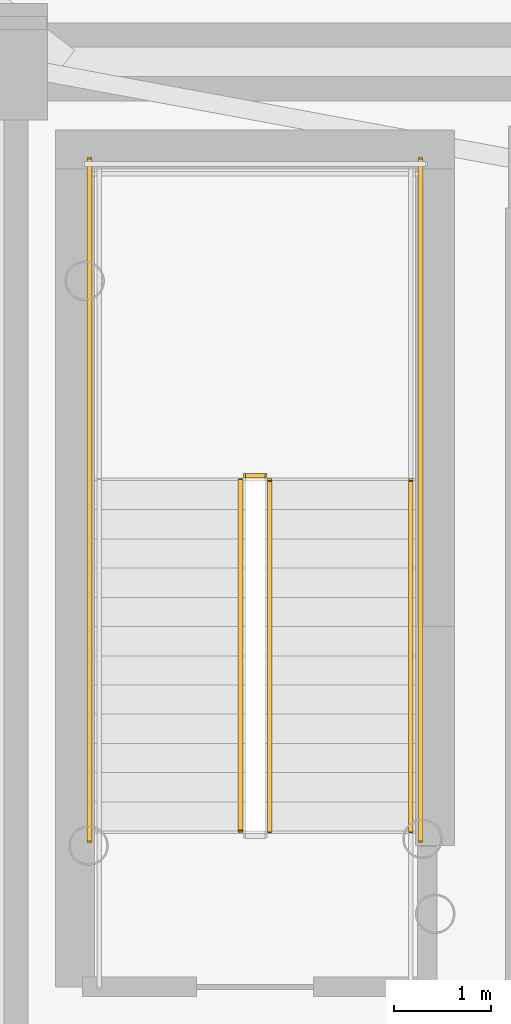
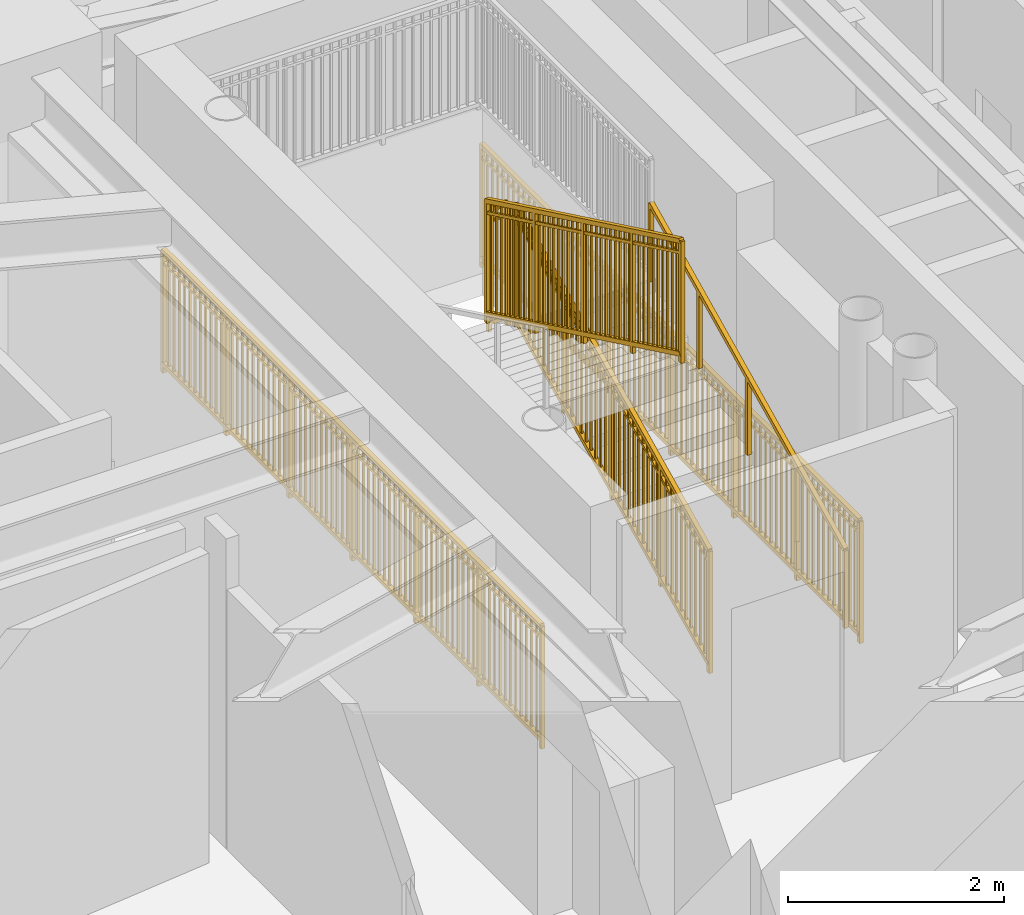
# One storey, part 13 of 17: 6 railings.
"""IFC4 building model written with IfcOpenShell, lengths in metres."""

from ifc_helpers import new_model, si_unit, direction, frame, origin, origin_2d, place, context, subcontext, project, spatial, rectangle, extrude, source, transform, mapped, material, type_object, element, save


model = new_model("IFC4")

# Units and contexts
model_context = context("Model", 3, precision=1e-05, world=origin(), true_north=direction((0.0, 1.0)))
body_context = subcontext(model_context, "Body", "Model", "MODEL_VIEW")
ifc_project = project(units=[si_unit("LENGTHUNIT", "METRE"), si_unit("AREAUNIT", "SQUARE_METRE"), si_unit("VOLUMEUNIT", "CUBIC_METRE"), si_unit("PLANEANGLEUNIT", "RADIAN"), si_unit("MASSUNIT", "GRAM", prefix="KILO")], contexts=[model_context])

# Site, building, storey
site_placement = place(None, origin())
site = spatial("IfcSite", under=ifc_project, at=site_placement, CompositionType="ELEMENT")
building_placement = place(site_placement, origin())
building = spatial("IfcBuilding", under=site, at=building_placement, Name="Linh Dai School and Residence Tower", CompositionType="ELEMENT")
storey_placement = place(building_placement, frame((0.0, 0.0, 182.39990234375)))
storey = spatial("IfcBuildingStorey", under=building, at=storey_placement, Name="L44", CompositionType="ELEMENT", Elevation=182.39990234375)

# Railings
ifc_material_1 = material(Name="Structural Steel S355JR", Category="steel")
railing_type_1 = type_object("IfcRailingType", Name="RL-ST-GUARD-1400", PredefinedType="GUARDRAIL", material=ifc_material_1)
shared_shape_1 = source(origin(), body_context, "Body", "SweptSolid", [
    extrude(rectangle(XDim=0.048095703125, YDim=0.048095703125, at=origin_2d()), frame((0.0, 0.0, 1.3759765625), z_axis=(-1.0, 0.0, 0.0), x_axis=(0.0, -1.0, 0.0)), (0.0, 0.0, 1.0), 0.199951171875),
    extrude(rectangle(XDim=0.048095703125, YDim=0.048095703125, at=origin_2d()), frame((0.0, 0.0, 0.10009765625), z_axis=(-1.0, 0.0, 0.0), x_axis=(0.0, -1.0, 0.0)), (0.0, 0.0, 1.0), 0.199951171875),
    extrude(rectangle(XDim=0.030029296875, YDim=0.030029296875, at=origin_2d()), frame((0.0, 0.0, 1.239990234375), z_axis=(-1.0, 0.0, 0.0), x_axis=(0.0, -1.0, 0.0)), (0.0, 0.0, 1.0), 0.199951171875),
    extrude(rectangle(XDim=0.0419921875, YDim=0.0419921875, at=origin_2d()), origin(), (0.0, 0.0, 1.0), 1.3759765625),
    extrude(rectangle(XDim=0.0419921875, YDim=0.0419921875, at=origin_2d()), frame((-0.199951171875, 0.0, 0.0)), (0.0, 0.0, 1.0), 1.3759765625),
])
railing_1_placement = place(storey_placement, frame((29.429931640625, 29.35009765625, 1.875)))
element("IfcRailing", 1, at=railing_1_placement, inside=storey, type_object=railing_type_1, Name="L44 ST1 stair guard 2", PredefinedType="GUARDRAIL", context=body_context, shape_type="MappedRepresentation", body=[
    mapped(shared_shape_1, transform((0.0, 0.0, 0.0), x_axis=(1.0, 0.0, 0.0), y_axis=(0.0, 1.0, 0.0), z_axis=(0.0, 0.0, 1.0), scale=1.0)),
])
shared_shape_2 = source(origin(), body_context, "Body", "SweptSolid", [
    extrude(rectangle(XDim=0.048095703125, YDim=0.048095703125, at=origin_2d()), frame((0.0, 0.0, 1.3759765625), z_axis=(0.0, 1.0, 0.0), x_axis=(-1.0, 0.0, 0.0)), (0.0, 0.0, 1.0), 7.0),
    extrude(rectangle(XDim=0.048095703125, YDim=0.048095703125, at=origin_2d()), frame((0.0, 0.0, 0.10009765625), z_axis=(0.0, 1.0, 0.0), x_axis=(-1.0, 0.0, 0.0)), (0.0, 0.0, 1.0), 7.0),
    extrude(rectangle(XDim=0.030029296875, YDim=0.030029296875, at=origin_2d()), frame((0.0, 0.0, 1.239990234375), z_axis=(0.0, 1.0, 0.0), x_axis=(-1.0, 0.0, 0.0)), (0.0, 0.0, 1.0), 7.0),
    extrude(rectangle(XDim=0.02001953125, YDim=0.02001953125, at=origin_2d()), frame((0.0, 0.09716796875, 0.10009765625)), (0.0, 0.0, 1.0), 1.251708984375),
    extrude(rectangle(XDim=0.02001953125, YDim=0.02001953125, at=origin_2d()), frame((0.0, 0.1943359375, 0.10009765625)), (0.0, 0.0, 1.0), 1.251708984375),
    extrude(rectangle(XDim=0.02001953125, YDim=0.02001953125, at=origin_2d()), frame((0.0, 0.291748046875, 0.10009765625)), (0.0, 0.0, 1.0), 1.251708984375),
    extrude(rectangle(XDim=0.02001953125, YDim=0.02001953125, at=origin_2d()), frame((0.0, 0.388916015625, 0.10009765625)), (0.0, 0.0, 1.0), 1.251708984375),
    extrude(rectangle(XDim=0.02001953125, YDim=0.02001953125, at=origin_2d()), frame((0.0, 0.486083984375, 0.10009765625)), (0.0, 0.0, 1.0), 1.251708984375),
    extrude(rectangle(XDim=0.02001953125, YDim=0.02001953125, at=origin_2d()), frame((0.0, 0.583251953125, 0.10009765625)), (0.0, 0.0, 1.0), 1.251708984375),
    extrude(rectangle(XDim=0.02001953125, YDim=0.02001953125, at=origin_2d()), frame((0.0, 0.6806640625, 0.10009765625)), (0.0, 0.0, 1.0), 1.251708984375),
    extrude(rectangle(XDim=0.02001953125, YDim=0.02001953125, at=origin_2d()), frame((0.0, 0.77783203125, 0.10009765625)), (0.0, 0.0, 1.0), 1.251708984375),
    extrude(rectangle(XDim=0.02001953125, YDim=0.02001953125, at=origin_2d()), frame((0.0, 0.875, 0.10009765625)), (0.0, 0.0, 1.0), 1.251708984375),
    extrude(rectangle(XDim=0.02001953125, YDim=0.02001953125, at=origin_2d()), frame((0.0, 0.97216796875, 0.10009765625)), (0.0, 0.0, 1.0), 1.251708984375),
    extrude(rectangle(XDim=0.02001953125, YDim=0.02001953125, at=origin_2d()), frame((0.0, 1.0693359375, 0.10009765625)), (0.0, 0.0, 1.0), 1.251708984375),
    extrude(rectangle(XDim=0.02001953125, YDim=0.02001953125, at=origin_2d()), frame((0.0, 1.263916015625, 0.10009765625)), (0.0, 0.0, 1.0), 1.251708984375),
    extrude(rectangle(XDim=0.02001953125, YDim=0.02001953125, at=origin_2d()), frame((0.0, 1.361083984375, 0.10009765625)), (0.0, 0.0, 1.0), 1.251708984375),
    extrude(rectangle(XDim=0.02001953125, YDim=0.02001953125, at=origin_2d()), frame((0.0, 1.458251953125, 0.10009765625)), (0.0, 0.0, 1.0), 1.251708984375),
    extrude(rectangle(XDim=0.02001953125, YDim=0.02001953125, at=origin_2d()), frame((0.0, 1.5556640625, 0.10009765625)), (0.0, 0.0, 1.0), 1.251708984375),
    extrude(rectangle(XDim=0.02001953125, YDim=0.02001953125, at=origin_2d()), frame((0.0, 1.65283203125, 0.10009765625)), (0.0, 0.0, 1.0), 1.251708984375),
    extrude(rectangle(XDim=0.02001953125, YDim=0.02001953125, at=origin_2d()), frame((0.0, 1.75, 0.10009765625)), (0.0, 0.0, 1.0), 1.251708984375),
    extrude(rectangle(XDim=0.02001953125, YDim=0.02001953125, at=origin_2d()), frame((0.0, 1.84716796875, 0.10009765625)), (0.0, 0.0, 1.0), 1.251708984375),
    extrude(rectangle(XDim=0.02001953125, YDim=0.02001953125, at=origin_2d()), frame((0.0, 1.9443359375, 0.10009765625)), (0.0, 0.0, 1.0), 1.251708984375),
    extrude(rectangle(XDim=0.02001953125, YDim=0.02001953125, at=origin_2d()), frame((0.0, 2.041748046875, 0.10009765625)), (0.0, 0.0, 1.0), 1.251708984375),
    extrude(rectangle(XDim=0.02001953125, YDim=0.02001953125, at=origin_2d()), frame((0.0, 2.138916015625, 0.10009765625)), (0.0, 0.0, 1.0), 1.251708984375),
    extrude(rectangle(XDim=0.02001953125, YDim=0.02001953125, at=origin_2d()), frame((0.0, 2.236083984375, 0.10009765625)), (0.0, 0.0, 1.0), 1.251708984375),
    extrude(rectangle(XDim=0.02001953125, YDim=0.02001953125, at=origin_2d()), frame((0.0, 2.4306640625, 0.10009765625)), (0.0, 0.0, 1.0), 1.251708984375),
    extrude(rectangle(XDim=0.02001953125, YDim=0.02001953125, at=origin_2d()), frame((0.0, 2.52783203125, 0.10009765625)), (0.0, 0.0, 1.0), 1.251708984375),
    extrude(rectangle(XDim=0.02001953125, YDim=0.02001953125, at=origin_2d()), frame((0.0, 2.625, 0.10009765625)), (0.0, 0.0, 1.0), 1.251708984375),
    extrude(rectangle(XDim=0.02001953125, YDim=0.02001953125, at=origin_2d()), frame((0.0, 2.72216796875, 0.10009765625)), (0.0, 0.0, 1.0), 1.251708984375),
    extrude(rectangle(XDim=0.02001953125, YDim=0.02001953125, at=origin_2d()), frame((0.0, 2.8193359375, 0.10009765625)), (0.0, 0.0, 1.0), 1.251708984375),
    extrude(rectangle(XDim=0.02001953125, YDim=0.02001953125, at=origin_2d()), frame((0.0, 2.916748046875, 0.10009765625)), (0.0, 0.0, 1.0), 1.251708984375),
    extrude(rectangle(XDim=0.02001953125, YDim=0.02001953125, at=origin_2d()), frame((0.0, 3.013916015625, 0.10009765625)), (0.0, 0.0, 1.0), 1.251708984375),
    extrude(rectangle(XDim=0.02001953125, YDim=0.02001953125, at=origin_2d()), frame((0.0, 3.111083984375, 0.10009765625)), (0.0, 0.0, 1.0), 1.251708984375),
    extrude(rectangle(XDim=0.02001953125, YDim=0.02001953125, at=origin_2d()), frame((0.0, 3.208251953125, 0.10009765625)), (0.0, 0.0, 1.0), 1.251708984375),
    extrude(rectangle(XDim=0.02001953125, YDim=0.02001953125, at=origin_2d()), frame((0.0, 3.3056640625, 0.10009765625)), (0.0, 0.0, 1.0), 1.251708984375),
    extrude(rectangle(XDim=0.02001953125, YDim=0.02001953125, at=origin_2d()), frame((0.0, 3.40283203125, 0.10009765625)), (0.0, 0.0, 1.0), 1.251708984375),
    extrude(rectangle(XDim=0.02001953125, YDim=0.02001953125, at=origin_2d()), frame((0.0, 3.59716796875, 0.10009765625)), (0.0, 0.0, 1.0), 1.251708984375),
    extrude(rectangle(XDim=0.02001953125, YDim=0.02001953125, at=origin_2d()), frame((0.0, 3.6943359375, 0.10009765625)), (0.0, 0.0, 1.0), 1.251708984375),
    extrude(rectangle(XDim=0.02001953125, YDim=0.02001953125, at=origin_2d()), frame((0.0, 3.791748046875, 0.10009765625)), (0.0, 0.0, 1.0), 1.251708984375),
    extrude(rectangle(XDim=0.02001953125, YDim=0.02001953125, at=origin_2d()), frame((0.0, 3.888916015625, 0.10009765625)), (0.0, 0.0, 1.0), 1.251708984375),
    extrude(rectangle(XDim=0.02001953125, YDim=0.02001953125, at=origin_2d()), frame((0.0, 3.986083984375, 0.10009765625)), (0.0, 0.0, 1.0), 1.251708984375),
    extrude(rectangle(XDim=0.02001953125, YDim=0.02001953125, at=origin_2d()), frame((0.0, 4.083251953125, 0.10009765625)), (0.0, 0.0, 1.0), 1.251708984375),
    extrude(rectangle(XDim=0.02001953125, YDim=0.02001953125, at=origin_2d()), frame((0.0, 4.1806640625, 0.10009765625)), (0.0, 0.0, 1.0), 1.251708984375),
    extrude(rectangle(XDim=0.02001953125, YDim=0.02001953125, at=origin_2d()), frame((0.0, 4.27783203125, 0.10009765625)), (0.0, 0.0, 1.0), 1.251708984375),
    extrude(rectangle(XDim=0.02001953125, YDim=0.02001953125, at=origin_2d()), frame((0.0, 4.375, 0.10009765625)), (0.0, 0.0, 1.0), 1.251708984375),
    extrude(rectangle(XDim=0.02001953125, YDim=0.02001953125, at=origin_2d()), frame((0.0, 4.47216796875, 0.10009765625)), (0.0, 0.0, 1.0), 1.251708984375),
    extrude(rectangle(XDim=0.02001953125, YDim=0.02001953125, at=origin_2d()), frame((0.0, 4.5693359375, 0.10009765625)), (0.0, 0.0, 1.0), 1.251708984375),
    extrude(rectangle(XDim=0.02001953125, YDim=0.02001953125, at=origin_2d()), frame((0.0, 4.763916015625, 0.10009765625)), (0.0, 0.0, 1.0), 1.251708984375),
    extrude(rectangle(XDim=0.02001953125, YDim=0.02001953125, at=origin_2d()), frame((0.0, 4.861083984375, 0.10009765625)), (0.0, 0.0, 1.0), 1.251708984375),
    extrude(rectangle(XDim=0.02001953125, YDim=0.02001953125, at=origin_2d()), frame((0.0, 4.958251953125, 0.10009765625)), (0.0, 0.0, 1.0), 1.251708984375),
    extrude(rectangle(XDim=0.02001953125, YDim=0.02001953125, at=origin_2d()), frame((0.0, 5.0556640625, 0.10009765625)), (0.0, 0.0, 1.0), 1.251708984375),
    extrude(rectangle(XDim=0.02001953125, YDim=0.02001953125, at=origin_2d()), frame((0.0, 5.15283203125, 0.10009765625)), (0.0, 0.0, 1.0), 1.251708984375),
    extrude(rectangle(XDim=0.02001953125, YDim=0.02001953125, at=origin_2d()), frame((0.0, 5.25, 0.10009765625)), (0.0, 0.0, 1.0), 1.251708984375),
    extrude(rectangle(XDim=0.02001953125, YDim=0.02001953125, at=origin_2d()), frame((0.0, 5.34716796875, 0.10009765625)), (0.0, 0.0, 1.0), 1.251708984375),
    extrude(rectangle(XDim=0.02001953125, YDim=0.02001953125, at=origin_2d()), frame((0.0, 5.4443359375, 0.10009765625)), (0.0, 0.0, 1.0), 1.251708984375),
    extrude(rectangle(XDim=0.02001953125, YDim=0.02001953125, at=origin_2d()), frame((0.0, 5.541748046875, 0.10009765625)), (0.0, 0.0, 1.0), 1.251708984375),
    extrude(rectangle(XDim=0.02001953125, YDim=0.02001953125, at=origin_2d()), frame((0.0, 5.638916015625, 0.10009765625)), (0.0, 0.0, 1.0), 1.251708984375),
    extrude(rectangle(XDim=0.02001953125, YDim=0.02001953125, at=origin_2d()), frame((0.0, 5.736083984375, 0.10009765625)), (0.0, 0.0, 1.0), 1.251708984375),
    extrude(rectangle(XDim=0.02001953125, YDim=0.02001953125, at=origin_2d()), frame((0.0, 5.9306640625, 0.10009765625)), (0.0, 0.0, 1.0), 1.251708984375),
    extrude(rectangle(XDim=0.02001953125, YDim=0.02001953125, at=origin_2d()), frame((0.0, 6.02783203125, 0.10009765625)), (0.0, 0.0, 1.0), 1.251708984375),
    extrude(rectangle(XDim=0.02001953125, YDim=0.02001953125, at=origin_2d()), frame((0.0, 6.125, 0.10009765625)), (0.0, 0.0, 1.0), 1.251708984375),
    extrude(rectangle(XDim=0.02001953125, YDim=0.02001953125, at=origin_2d()), frame((0.0, 6.22216796875, 0.10009765625)), (0.0, 0.0, 1.0), 1.251708984375),
    extrude(rectangle(XDim=0.02001953125, YDim=0.02001953125, at=origin_2d()), frame((0.0, 6.3193359375, 0.10009765625)), (0.0, 0.0, 1.0), 1.251708984375),
    extrude(rectangle(XDim=0.02001953125, YDim=0.02001953125, at=origin_2d()), frame((0.0, 6.416748046875, 0.10009765625)), (0.0, 0.0, 1.0), 1.251708984375),
    extrude(rectangle(XDim=0.02001953125, YDim=0.02001953125, at=origin_2d()), frame((0.0, 6.513916015625, 0.10009765625)), (0.0, 0.0, 1.0), 1.251708984375),
    extrude(rectangle(XDim=0.02001953125, YDim=0.02001953125, at=origin_2d()), frame((0.0, 6.611083984375, 0.10009765625)), (0.0, 0.0, 1.0), 1.251708984375),
    extrude(rectangle(XDim=0.02001953125, YDim=0.02001953125, at=origin_2d()), frame((0.0, 6.708251953125, 0.10009765625)), (0.0, 0.0, 1.0), 1.251708984375),
    extrude(rectangle(XDim=0.02001953125, YDim=0.02001953125, at=origin_2d()), frame((0.0, 6.8056640625, 0.10009765625)), (0.0, 0.0, 1.0), 1.251708984375),
    extrude(rectangle(XDim=0.02001953125, YDim=0.02001953125, at=origin_2d()), frame((0.0, 6.90283203125, 0.10009765625)), (0.0, 0.0, 1.0), 1.251708984375),
    extrude(rectangle(XDim=0.0419921875, YDim=0.0419921875, at=origin_2d()), origin(), (0.0, 0.0, 1.0), 1.3759765625),
    extrude(rectangle(XDim=0.0419921875, YDim=0.0419921875, at=origin_2d()), frame((0.0, 1.166748046875, 0.0)), (0.0, 0.0, 1.0), 1.3759765625),
    extrude(rectangle(XDim=0.0419921875, YDim=0.0419921875, at=origin_2d()), frame((0.0, 2.333251953125, 0.0)), (0.0, 0.0, 1.0), 1.3759765625),
    extrude(rectangle(XDim=0.0419921875, YDim=0.0419921875, at=origin_2d()), frame((0.0, 3.5, 0.0)), (0.0, 0.0, 1.0), 1.3759765625),
    extrude(rectangle(XDim=0.0419921875, YDim=0.0419921875, at=origin_2d()), frame((0.0, 4.666748046875, 0.0)), (0.0, 0.0, 1.0), 1.3759765625),
    extrude(rectangle(XDim=0.0419921875, YDim=0.0419921875, at=origin_2d()), frame((0.0, 5.833251953125, 0.0)), (0.0, 0.0, 1.0), 1.3759765625),
    extrude(rectangle(XDim=0.0419921875, YDim=0.0419921875, at=origin_2d()), frame((0.0, 7.0, 0.0)), (0.0, 0.0, 1.0), 1.3759765625),
])
for number, where, name in (
    (2, (31.030029296875, 25.60009765625, 0.0), "L44 ST1 stair guard 10"),
    (3, (27.6298828125, 25.60009765625, 0.0), "L44 ST1 stair guard 11"),
):
    element("IfcRailing", number, at=place(storey_placement, frame(where)), inside=storey, type_object=railing_type_1, Name=name, PredefinedType="GUARDRAIL", context=body_context, shape_type="MappedRepresentation", body=[
        mapped(shared_shape_2, transform((0.0, 0.0, 0.0), x_axis=(1.0, 0.0, 0.0), y_axis=(0.0, 1.0, 0.0), z_axis=(0.0, 0.0, 1.0), scale=1.0)),
    ])
shared_shape_3 = source(origin(), body_context, "Body", "SweptSolid", [
    extrude(rectangle(XDim=0.048095703125, YDim=0.048095703125, at=origin_2d()), frame((0.0, 0.0, 1.3759765625), z_axis=(0.0, 0.901262522062, 0.433273431364), x_axis=(-1.0, 0.0, 0.0)), (0.0, 0.0, 1.0), 3.994384765625),
    extrude(rectangle(XDim=0.048095703125, YDim=0.048095703125, at=origin_2d()), frame((0.0, 0.0, 0.10009765625), z_axis=(0.0, 0.901262522062, 0.433273431364), x_axis=(-1.0, 0.0, 0.0)), (0.0, 0.0, 1.0), 3.994384765625),
    extrude(rectangle(XDim=0.030029296875, YDim=0.030029296875, at=origin_2d()), frame((0.0, 0.0, 1.239990234375), z_axis=(0.0, 0.901262522062, 0.433273431364), x_axis=(-1.0, 0.0, 0.0)), (0.0, 0.0, 1.0), 3.994384765625),
    extrude(rectangle(XDim=0.02001953125, YDim=0.02001953125, at=origin_2d()), frame((0.0, 0.087890625, 0.142333984375)), (0.0, 0.0, 1.0), 1.251708984375),
    extrude(rectangle(XDim=0.02001953125, YDim=0.02001953125, at=origin_2d()), frame((0.0, 0.175537109375, 0.1845703125)), (0.0, 0.0, 1.0), 1.251708984375),
    extrude(rectangle(XDim=0.02001953125, YDim=0.02001953125, at=origin_2d()), frame((0.0, 0.263427734375, 0.226806640625)), (0.0, 0.0, 1.0), 1.251708984375),
    extrude(rectangle(XDim=0.02001953125, YDim=0.02001953125, at=origin_2d()), frame((0.0, 0.351318359375, 0.26904296875)), (0.0, 0.0, 1.0), 1.251708984375),
    extrude(rectangle(XDim=0.02001953125, YDim=0.02001953125, at=origin_2d()), frame((0.0, 0.43896484375, 0.311279296875)), (0.0, 0.0, 1.0), 1.251708984375),
    extrude(rectangle(XDim=0.02001953125, YDim=0.02001953125, at=origin_2d()), frame((0.0, 0.52685546875, 0.353271484375)), (0.0, 0.0, 1.0), 1.251708984375),
    extrude(rectangle(XDim=0.02001953125, YDim=0.02001953125, at=origin_2d()), frame((0.0, 0.61474609375, 0.3955078125)), (0.0, 0.0, 1.0), 1.251708984375),
    extrude(rectangle(XDim=0.02001953125, YDim=0.02001953125, at=origin_2d()), frame((0.0, 0.702392578125, 0.437744140625)), (0.0, 0.0, 1.0), 1.251708984375),
    extrude(rectangle(XDim=0.02001953125, YDim=0.02001953125, at=origin_2d()), frame((0.0, 0.790283203125, 0.47998046875)), (0.0, 0.0, 1.0), 1.251708984375),
    extrude(rectangle(XDim=0.02001953125, YDim=0.02001953125, at=origin_2d()), frame((0.0, 0.9658203125, 0.564453125)), (0.0, 0.0, 1.0), 1.251708984375),
    extrude(rectangle(XDim=0.02001953125, YDim=0.02001953125, at=origin_2d()), frame((0.0, 1.0537109375, 0.606689453125)), (0.0, 0.0, 1.0), 1.251708984375),
    extrude(rectangle(XDim=0.02001953125, YDim=0.02001953125, at=origin_2d()), frame((0.0, 1.1416015625, 0.64892578125)), (0.0, 0.0, 1.0), 1.251708984375),
    extrude(rectangle(XDim=0.02001953125, YDim=0.02001953125, at=origin_2d()), frame((0.0, 1.229248046875, 0.691162109375)), (0.0, 0.0, 1.0), 1.251708984375),
    extrude(rectangle(XDim=0.02001953125, YDim=0.02001953125, at=origin_2d()), frame((0.0, 1.317138671875, 0.7333984375)), (0.0, 0.0, 1.0), 1.251708984375),
    extrude(rectangle(XDim=0.02001953125, YDim=0.02001953125, at=origin_2d()), frame((0.0, 1.405029296875, 0.775390625)), (0.0, 0.0, 1.0), 1.251708984375),
    extrude(rectangle(XDim=0.02001953125, YDim=0.02001953125, at=origin_2d()), frame((0.0, 1.49267578125, 0.817626953125)), (0.0, 0.0, 1.0), 1.251708984375),
    extrude(rectangle(XDim=0.02001953125, YDim=0.02001953125, at=origin_2d()), frame((0.0, 1.58056640625, 0.85986328125)), (0.0, 0.0, 1.0), 1.251708984375),
    extrude(rectangle(XDim=0.02001953125, YDim=0.02001953125, at=origin_2d()), frame((0.0, 1.66845703125, 0.902099609375)), (0.0, 0.0, 1.0), 1.251708984375),
    extrude(rectangle(XDim=0.02001953125, YDim=0.02001953125, at=origin_2d()), frame((0.0, 1.756103515625, 0.9443359375)), (0.0, 0.0, 1.0), 1.251708984375),
    extrude(rectangle(XDim=0.02001953125, YDim=0.02001953125, at=origin_2d()), frame((0.0, 1.843994140625, 0.986572265625)), (0.0, 0.0, 1.0), 1.251708984375),
    extrude(rectangle(XDim=0.02001953125, YDim=0.02001953125, at=origin_2d()), frame((0.0, 1.931640625, 1.02880859375)), (0.0, 0.0, 1.0), 1.251708984375),
    extrude(rectangle(XDim=0.02001953125, YDim=0.02001953125, at=origin_2d()), frame((0.0, 2.01953125, 1.071044921875)), (0.0, 0.0, 1.0), 1.251708984375),
    extrude(rectangle(XDim=0.02001953125, YDim=0.02001953125, at=origin_2d()), frame((0.0, 2.107421875, 1.11328125)), (0.0, 0.0, 1.0), 1.251708984375),
    extrude(rectangle(XDim=0.02001953125, YDim=0.02001953125, at=origin_2d()), frame((0.0, 2.195068359375, 1.155517578125)), (0.0, 0.0, 1.0), 1.251708984375),
    extrude(rectangle(XDim=0.02001953125, YDim=0.02001953125, at=origin_2d()), frame((0.0, 2.282958984375, 1.197509765625)), (0.0, 0.0, 1.0), 1.251708984375),
    extrude(rectangle(XDim=0.02001953125, YDim=0.02001953125, at=origin_2d()), frame((0.0, 2.370849609375, 1.23974609375)), (0.0, 0.0, 1.0), 1.251708984375),
    extrude(rectangle(XDim=0.02001953125, YDim=0.02001953125, at=origin_2d()), frame((0.0, 2.45849609375, 1.281982421875)), (0.0, 0.0, 1.0), 1.251708984375),
    extrude(rectangle(XDim=0.02001953125, YDim=0.02001953125, at=origin_2d()), frame((0.0, 2.54638671875, 1.32421875)), (0.0, 0.0, 1.0), 1.251708984375),
    extrude(rectangle(XDim=0.02001953125, YDim=0.02001953125, at=origin_2d()), frame((0.0, 2.63427734375, 1.366455078125)), (0.0, 0.0, 1.0), 1.251708984375),
    extrude(rectangle(XDim=0.02001953125, YDim=0.02001953125, at=origin_2d()), frame((0.0, 2.809814453125, 1.450927734375)), (0.0, 0.0, 1.0), 1.251708984375),
    extrude(rectangle(XDim=0.02001953125, YDim=0.02001953125, at=origin_2d()), frame((0.0, 2.897705078125, 1.4931640625)), (0.0, 0.0, 1.0), 1.251708984375),
    extrude(rectangle(XDim=0.02001953125, YDim=0.02001953125, at=origin_2d()), frame((0.0, 2.9853515625, 1.535400390625)), (0.0, 0.0, 1.0), 1.251708984375),
    extrude(rectangle(XDim=0.02001953125, YDim=0.02001953125, at=origin_2d()), frame((0.0, 3.0732421875, 1.57763671875)), (0.0, 0.0, 1.0), 1.251708984375),
    extrude(rectangle(XDim=0.02001953125, YDim=0.02001953125, at=origin_2d()), frame((0.0, 3.1611328125, 1.61962890625)), (0.0, 0.0, 1.0), 1.251708984375),
    extrude(rectangle(XDim=0.02001953125, YDim=0.02001953125, at=origin_2d()), frame((0.0, 3.248779296875, 1.661865234375)), (0.0, 0.0, 1.0), 1.251708984375),
    extrude(rectangle(XDim=0.02001953125, YDim=0.02001953125, at=origin_2d()), frame((0.0, 3.336669921875, 1.7041015625)), (0.0, 0.0, 1.0), 1.251708984375),
    extrude(rectangle(XDim=0.02001953125, YDim=0.02001953125, at=origin_2d()), frame((0.0, 3.424560546875, 1.746337890625)), (0.0, 0.0, 1.0), 1.251708984375),
    extrude(rectangle(XDim=0.02001953125, YDim=0.02001953125, at=origin_2d()), frame((0.0, 3.51220703125, 1.78857421875)), (0.0, 0.0, 1.0), 1.251708984375),
    extrude(rectangle(XDim=0.0419921875, YDim=0.0419921875, at=origin_2d()), origin(), (0.0, 0.0, 1.0), 1.3759765625),
    extrude(rectangle(XDim=0.0419921875, YDim=0.0419921875, at=origin_2d()), frame((0.0, 0.89990234375, 0.4326171875)), (0.0, 0.0, 1.0), 1.3759765625),
    extrude(rectangle(XDim=0.0419921875, YDim=0.0419921875, at=origin_2d()), frame((0.0, 1.800048828125, 0.865234375)), (0.0, 0.0, 1.0), 1.3759765625),
    extrude(rectangle(XDim=0.0419921875, YDim=0.0419921875, at=origin_2d()), frame((0.0, 2.7001953125, 1.298095703125)), (0.0, 0.0, 1.0), 1.3759765625),
    extrude(rectangle(XDim=0.0419921875, YDim=0.0419921875, at=origin_2d()), frame((0.0, 3.60009765625, 1.730712890625)), (0.0, 0.0, 1.0), 1.3759765625),
])
railing_2_placement = place(storey_placement, frame((29.47998046875, 25.699951171875, 0.144287109375)))
element("IfcRailing", 4, at=railing_2_placement, inside=storey, type_object=railing_type_1, Name="L44 ST1 stair guard 1", PredefinedType="GUARDRAIL", context=body_context, shape_type="MappedRepresentation", body=[
    mapped(shared_shape_3, transform((0.0, 0.0, 0.0), x_axis=(1.0, 0.0, 0.0), y_axis=(0.0, 1.0, 0.0), z_axis=(0.0, 0.0, 1.0), scale=1.0)),
])
shared_shape_4 = source(origin(), body_context, "Body", "SweptSolid", [
    extrude(rectangle(XDim=0.048095703125, YDim=0.048095703125, at=origin_2d()), frame((0.0, 0.0, 1.3759765625), z_axis=(0.0, -0.901262522062, 0.433273431364), x_axis=(1.0, 0.0, 0.0)), (0.0, 0.0, 1.0), 3.994384765625),
    extrude(rectangle(XDim=0.048095703125, YDim=0.048095703125, at=origin_2d()), frame((0.0, 0.0, 0.10009765625), z_axis=(0.0, -0.901262522062, 0.433273431364), x_axis=(1.0, 0.0, 0.0)), (0.0, 0.0, 1.0), 3.994384765625),
    extrude(rectangle(XDim=0.030029296875, YDim=0.030029296875, at=origin_2d()), frame((0.0, 0.0, 1.239990234375), z_axis=(0.0, -0.901262522062, 0.433273431364), x_axis=(1.0, 0.0, 0.0)), (0.0, 0.0, 1.0), 3.994384765625),
    extrude(rectangle(XDim=0.02001953125, YDim=0.02001953125, at=origin_2d()), frame((0.0, -0.087890625, 0.142333984375)), (0.0, 0.0, 1.0), 1.251708984375),
    extrude(rectangle(XDim=0.02001953125, YDim=0.02001953125, at=origin_2d()), frame((0.0, -0.175537109375, 0.1845703125)), (0.0, 0.0, 1.0), 1.251708984375),
    extrude(rectangle(XDim=0.02001953125, YDim=0.02001953125, at=origin_2d()), frame((0.0, -0.263427734375, 0.226806640625)), (0.0, 0.0, 1.0), 1.251708984375),
    extrude(rectangle(XDim=0.02001953125, YDim=0.02001953125, at=origin_2d()), frame((0.0, -0.351318359375, 0.26904296875)), (0.0, 0.0, 1.0), 1.251708984375),
    extrude(rectangle(XDim=0.02001953125, YDim=0.02001953125, at=origin_2d()), frame((0.0, -0.43896484375, 0.311279296875)), (0.0, 0.0, 1.0), 1.251708984375),
    extrude(rectangle(XDim=0.02001953125, YDim=0.02001953125, at=origin_2d()), frame((0.0, -0.52685546875, 0.353271484375)), (0.0, 0.0, 1.0), 1.251708984375),
    extrude(rectangle(XDim=0.02001953125, YDim=0.02001953125, at=origin_2d()), frame((0.0, -0.61474609375, 0.3955078125)), (0.0, 0.0, 1.0), 1.251708984375),
    extrude(rectangle(XDim=0.02001953125, YDim=0.02001953125, at=origin_2d()), frame((0.0, -0.702392578125, 0.437744140625)), (0.0, 0.0, 1.0), 1.251708984375),
    extrude(rectangle(XDim=0.02001953125, YDim=0.02001953125, at=origin_2d()), frame((0.0, -0.790283203125, 0.47998046875)), (0.0, 0.0, 1.0), 1.251708984375),
    extrude(rectangle(XDim=0.02001953125, YDim=0.02001953125, at=origin_2d()), frame((0.0, -0.9658203125, 0.564453125)), (0.0, 0.0, 1.0), 1.251708984375),
    extrude(rectangle(XDim=0.02001953125, YDim=0.02001953125, at=origin_2d()), frame((0.0, -1.0537109375, 0.606689453125)), (0.0, 0.0, 1.0), 1.251708984375),
    extrude(rectangle(XDim=0.02001953125, YDim=0.02001953125, at=origin_2d()), frame((0.0, -1.1416015625, 0.64892578125)), (0.0, 0.0, 1.0), 1.251708984375),
    extrude(rectangle(XDim=0.02001953125, YDim=0.02001953125, at=origin_2d()), frame((0.0, -1.229248046875, 0.691162109375)), (0.0, 0.0, 1.0), 1.251708984375),
    extrude(rectangle(XDim=0.02001953125, YDim=0.02001953125, at=origin_2d()), frame((0.0, -1.317138671875, 0.7333984375)), (0.0, 0.0, 1.0), 1.251708984375),
    extrude(rectangle(XDim=0.02001953125, YDim=0.02001953125, at=origin_2d()), frame((0.0, -1.405029296875, 0.775390625)), (0.0, 0.0, 1.0), 1.251708984375),
    extrude(rectangle(XDim=0.02001953125, YDim=0.02001953125, at=origin_2d()), frame((0.0, -1.49267578125, 0.817626953125)), (0.0, 0.0, 1.0), 1.251708984375),
    extrude(rectangle(XDim=0.02001953125, YDim=0.02001953125, at=origin_2d()), frame((0.0, -1.58056640625, 0.85986328125)), (0.0, 0.0, 1.0), 1.251708984375),
    extrude(rectangle(XDim=0.02001953125, YDim=0.02001953125, at=origin_2d()), frame((0.0, -1.66845703125, 0.902099609375)), (0.0, 0.0, 1.0), 1.251708984375),
    extrude(rectangle(XDim=0.02001953125, YDim=0.02001953125, at=origin_2d()), frame((0.0, -1.756103515625, 0.9443359375)), (0.0, 0.0, 1.0), 1.251708984375),
    extrude(rectangle(XDim=0.02001953125, YDim=0.02001953125, at=origin_2d()), frame((0.0, -1.843994140625, 0.986572265625)), (0.0, 0.0, 1.0), 1.251708984375),
    extrude(rectangle(XDim=0.02001953125, YDim=0.02001953125, at=origin_2d()), frame((0.0, -1.931640625, 1.02880859375)), (0.0, 0.0, 1.0), 1.251708984375),
    extrude(rectangle(XDim=0.02001953125, YDim=0.02001953125, at=origin_2d()), frame((0.0, -2.01953125, 1.071044921875)), (0.0, 0.0, 1.0), 1.251708984375),
    extrude(rectangle(XDim=0.02001953125, YDim=0.02001953125, at=origin_2d()), frame((0.0, -2.107421875, 1.11328125)), (0.0, 0.0, 1.0), 1.251708984375),
    extrude(rectangle(XDim=0.02001953125, YDim=0.02001953125, at=origin_2d()), frame((0.0, -2.195068359375, 1.155517578125)), (0.0, 0.0, 1.0), 1.251708984375),
    extrude(rectangle(XDim=0.02001953125, YDim=0.02001953125, at=origin_2d()), frame((0.0, -2.282958984375, 1.197509765625)), (0.0, 0.0, 1.0), 1.251708984375),
    extrude(rectangle(XDim=0.02001953125, YDim=0.02001953125, at=origin_2d()), frame((0.0, -2.370849609375, 1.23974609375)), (0.0, 0.0, 1.0), 1.251708984375),
    extrude(rectangle(XDim=0.02001953125, YDim=0.02001953125, at=origin_2d()), frame((0.0, -2.45849609375, 1.281982421875)), (0.0, 0.0, 1.0), 1.251708984375),
    extrude(rectangle(XDim=0.02001953125, YDim=0.02001953125, at=origin_2d()), frame((0.0, -2.54638671875, 1.32421875)), (0.0, 0.0, 1.0), 1.251708984375),
    extrude(rectangle(XDim=0.02001953125, YDim=0.02001953125, at=origin_2d()), frame((0.0, -2.63427734375, 1.366455078125)), (0.0, 0.0, 1.0), 1.251708984375),
    extrude(rectangle(XDim=0.02001953125, YDim=0.02001953125, at=origin_2d()), frame((0.0, -2.809814453125, 1.450927734375)), (0.0, 0.0, 1.0), 1.251708984375),
    extrude(rectangle(XDim=0.02001953125, YDim=0.02001953125, at=origin_2d()), frame((0.0, -2.897705078125, 1.4931640625)), (0.0, 0.0, 1.0), 1.251708984375),
    extrude(rectangle(XDim=0.02001953125, YDim=0.02001953125, at=origin_2d()), frame((0.0, -2.9853515625, 1.535400390625)), (0.0, 0.0, 1.0), 1.251708984375),
    extrude(rectangle(XDim=0.02001953125, YDim=0.02001953125, at=origin_2d()), frame((0.0, -3.0732421875, 1.57763671875)), (0.0, 0.0, 1.0), 1.251708984375),
    extrude(rectangle(XDim=0.02001953125, YDim=0.02001953125, at=origin_2d()), frame((0.0, -3.1611328125, 1.61962890625)), (0.0, 0.0, 1.0), 1.251708984375),
    extrude(rectangle(XDim=0.02001953125, YDim=0.02001953125, at=origin_2d()), frame((0.0, -3.248779296875, 1.661865234375)), (0.0, 0.0, 1.0), 1.251708984375),
    extrude(rectangle(XDim=0.02001953125, YDim=0.02001953125, at=origin_2d()), frame((0.0, -3.336669921875, 1.7041015625)), (0.0, 0.0, 1.0), 1.251708984375),
    extrude(rectangle(XDim=0.02001953125, YDim=0.02001953125, at=origin_2d()), frame((0.0, -3.424560546875, 1.746337890625)), (0.0, 0.0, 1.0), 1.251708984375),
    extrude(rectangle(XDim=0.02001953125, YDim=0.02001953125, at=origin_2d()), frame((0.0, -3.51220703125, 1.78857421875)), (0.0, 0.0, 1.0), 1.251708984375),
    extrude(rectangle(XDim=0.0419921875, YDim=0.0419921875, at=origin_2d()), origin(), (0.0, 0.0, 1.0), 1.3759765625),
    extrude(rectangle(XDim=0.0419921875, YDim=0.0419921875, at=origin_2d()), frame((0.0, -0.89990234375, 0.4326171875)), (0.0, 0.0, 1.0), 1.3759765625),
    extrude(rectangle(XDim=0.0419921875, YDim=0.0419921875, at=origin_2d()), frame((0.0, -1.800048828125, 0.865234375)), (0.0, 0.0, 1.0), 1.3759765625),
    extrude(rectangle(XDim=0.0419921875, YDim=0.0419921875, at=origin_2d()), frame((0.0, -2.7001953125, 1.298095703125)), (0.0, 0.0, 1.0), 1.3759765625),
    extrude(rectangle(XDim=0.0419921875, YDim=0.0419921875, at=origin_2d()), frame((0.0, -3.60009765625, 1.730712890625)), (0.0, 0.0, 1.0), 1.3759765625),
])
railing_3_placement = place(storey_placement, frame((29.179931640625, 29.300048828125, 2.019287109375)))
element("IfcRailing", 5, at=railing_3_placement, inside=storey, type_object=railing_type_1, Name="L44 ST1 stair guard 6", PredefinedType="GUARDRAIL", context=body_context, shape_type="MappedRepresentation", body=[
    mapped(shared_shape_4, transform((0.0, 0.0, 0.0), x_axis=(1.0, 0.0, 0.0), y_axis=(0.0, 1.0, 0.0), z_axis=(0.0, 0.0, 1.0), scale=1.0)),
])
ifc_material_2 = material(Name="Brushed Stainless Steel Handrail", Category="steel")
railing_type_2 = type_object("IfcRailingType", Name="RL-ST-HANDRAIL-900", PredefinedType="HANDRAIL", material=ifc_material_2)
shared_shape_5 = source(origin(), body_context, "Body", "SweptSolid", [
    extrude(rectangle(XDim=0.048095703125, YDim=0.048095703125, at=origin_2d()), frame((0.0, 0.0, 0.8759765625), z_axis=(0.0, 0.901262522062, 0.433273431364), x_axis=(-1.0, 0.0, 0.0)), (0.0, 0.0, 1.0), 3.994384765625),
    extrude(rectangle(XDim=0.0419921875, YDim=0.0419921875, at=origin_2d()), origin(), (0.0, 0.0, 1.0), 0.8759765625),
    extrude(rectangle(XDim=0.0419921875, YDim=0.0419921875, at=origin_2d()), frame((0.0, 0.89990234375, 0.4326171875)), (0.0, 0.0, 1.0), 0.8759765625),
    extrude(rectangle(XDim=0.0419921875, YDim=0.0419921875, at=origin_2d()), frame((0.0, 1.800048828125, 0.865234375)), (0.0, 0.0, 1.0), 0.8759765625),
    extrude(rectangle(XDim=0.0419921875, YDim=0.0419921875, at=origin_2d()), frame((0.0, 2.7001953125, 1.298095703125)), (0.0, 0.0, 1.0), 0.8759765625),
    extrude(rectangle(XDim=0.0419921875, YDim=0.0419921875, at=origin_2d()), frame((0.0, 3.60009765625, 1.730712890625)), (0.0, 0.0, 1.0), 0.8759765625),
])
railing_4_placement = place(storey_placement, frame((30.929931640625, 25.699951171875, 0.144287109375)))
element("IfcRailing", 6, at=railing_4_placement, inside=storey, type_object=railing_type_2, Name="L44 ST1 stair handrail 1", PredefinedType="HANDRAIL", context=body_context, shape_type="MappedRepresentation", body=[
    mapped(shared_shape_5, transform((0.0, 0.0, 0.0), x_axis=(1.0, 0.0, 0.0), y_axis=(0.0, 1.0, 0.0), z_axis=(0.0, 0.0, 1.0), scale=1.0)),
])

save(model, "model.ifc")
